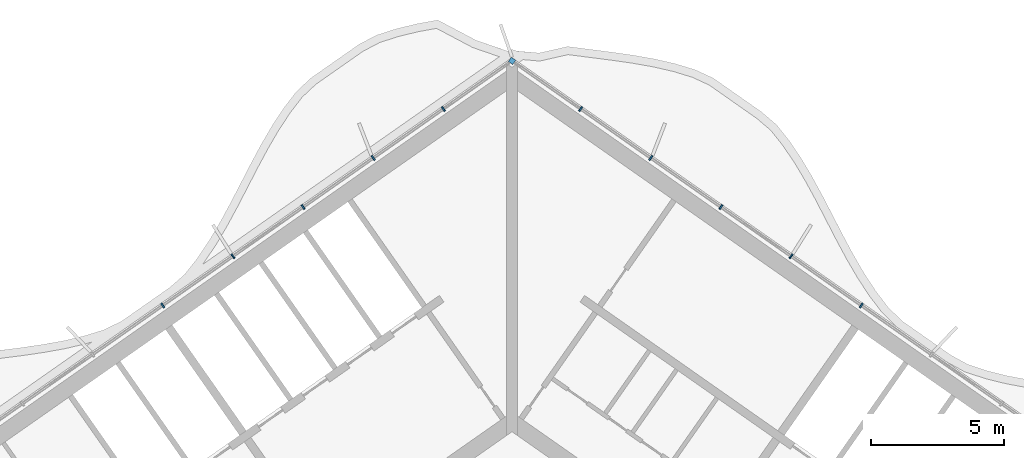
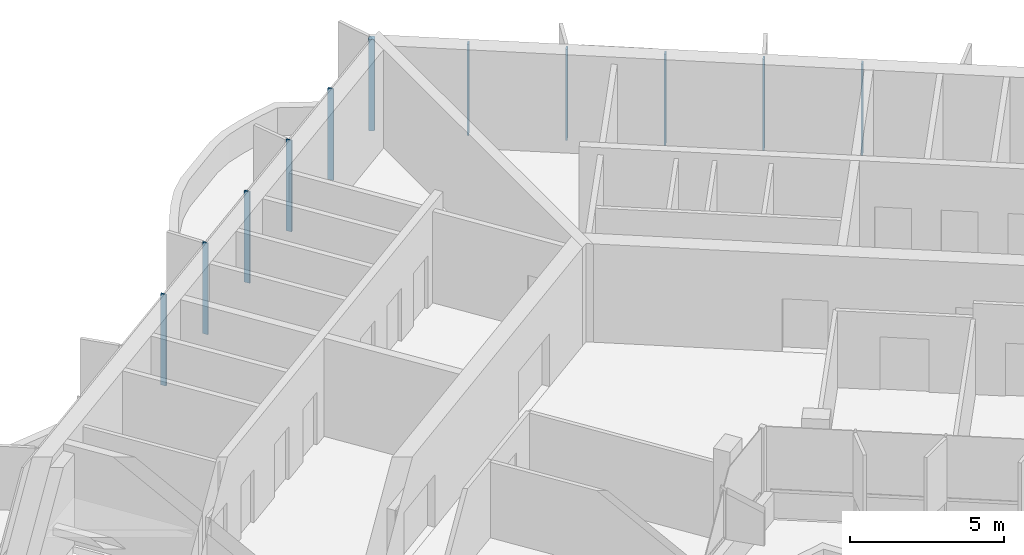
# One storey, part 6 of 17: 11 members, 1 element without a shape of its own.
"""IFC4 building model written with IfcOpenShell, lengths in metres."""

from ifc_helpers import new_model, si_unit, direction, frame, origin, origin_2d, place, context, subcontext, project, spatial, rectangle, extrude, material, material_profile, profile_set, type_object, element, aggregate, save


model = new_model("IFC4")

# Units and contexts
model_context = context("Model", 3, precision=1e-05, world=origin(), true_north=direction((0.0, 1.0)))
body_context = subcontext(model_context, "Body", "Model", "MODEL_VIEW")
ifc_project = project(units=[si_unit("LENGTHUNIT", "METRE"), si_unit("AREAUNIT", "SQUARE_METRE"), si_unit("VOLUMEUNIT", "CUBIC_METRE"), si_unit("PLANEANGLEUNIT", "RADIAN"), si_unit("MASSUNIT", "GRAM", prefix="KILO")], contexts=[model_context])

# Site, building, storey
site_placement = place(None, origin())
site = spatial("IfcSite", under=ifc_project, at=site_placement, CompositionType="ELEMENT")
building_placement = place(site_placement, origin())
building = spatial("IfcBuilding", under=site, at=building_placement, Name="Tel Ilan Convention Tower", CompositionType="ELEMENT")
storey_placement = place(building_placement, frame((0.0, 0.0, 276.10009765625)))
storey = spatial("IfcBuildingStorey", under=building, at=storey_placement, Name="L65", CompositionType="ELEMENT", Elevation=276.10009765625)

# Curtain wall, members
ifc_material_1 = material(Name="Aluminium, bronze anodised", Category="aluminium")
curtain_wall_type = type_object("IfcCurtainWallType", Name="CW2 STICK CURTAIN WALL, SPANDREL PANELS", PredefinedType="NOTDEFINED", material=ifc_material_1)
curtain_wall_placement = place(storey_placement, origin())
curtain_wall = element("IfcCurtainWall", 1, at=curtain_wall_placement, inside=storey, type_object=curtain_wall_type, Name="Curtain wall CW2-50.01", PredefinedType="NOTDEFINED")
ifc_material_2 = material(Name="Aluminium, bronze anodised", Category="aluminium")
ifc_material_profile_1 = material_profile(ifc_material_2, rectangle(XDim=0.199951171875, YDim=0.199951171875, at=origin_2d()), Name="CW CORNER MULLION 200x200")
ifc_profile_set_1 = profile_set([ifc_material_profile_1], Name="Aluminium, bronze anodised")
member_type_1 = type_object("IfcMemberType", Name="CW CORNER MULLION 200x200", PredefinedType="MULLION", material=ifc_profile_set_1)
member_1_placement = place(storey_placement, frame((0.0, 12.696044921875, 0.0), z_axis=(0.0, 0.0, 1.0), x_axis=(-0.819152044289, 0.573576436351, 0.0)))
member_1 = element("IfcMember", 2, at=member_1_placement, type_object=member_type_1, Name="Corner mullion", PredefinedType="MULLION", context=body_context, shape_type="SweptSolid", body=[
    extrude(rectangle(XDim=0.199951171875, YDim=0.199951171875, at=origin_2d()), origin(), (0.0, 0.0, 1.0), 3.619873046875),
])
ifc_material_3 = material(Name="Aluminium, bronze anodised", Category="aluminium")
ifc_material_profile_2 = material_profile(ifc_material_3, rectangle(XDim=0.06005859375, YDim=0.199951171875, at=origin_2d()), Name="CW MULLION 60x200")
ifc_profile_set_2 = profile_set([ifc_material_profile_2], Name="Aluminium, bronze anodised")
member_type_2 = type_object("IfcMemberType", Name="CW MULLION 60x200", PredefinedType="MULLION", material=ifc_profile_set_2)
member_2_placement = place(storey_placement, frame((13.105712890625, 3.519287109375, 0.0), z_axis=(0.0, 0.0, 1.0), x_axis=(-0.819152044289, 0.573576436351, 0.0)))
member_2 = element("IfcMember", 3, at=member_2_placement, type_object=member_type_2, Name="Mullion", PredefinedType="MULLION", context=body_context, shape_type="SweptSolid", body=[
    extrude(rectangle(XDim=0.06005859375, YDim=0.199951171875, at=origin_2d()), origin(), (0.0, 0.0, 1.0), 3.619873046875),
])
member_3_placement = place(storey_placement, frame((10.47314453125, 5.36279296875, 0.0), z_axis=(0.0, 0.0, 1.0), x_axis=(-0.819152044289, 0.573576436351, 0.0)))
member_3 = element("IfcMember", 4, at=member_3_placement, type_object=member_type_2, Name="Mullion", PredefinedType="MULLION", context=body_context, shape_type="SweptSolid", body=[
    extrude(rectangle(XDim=0.06005859375, YDim=0.199951171875, at=origin_2d()), origin(), (0.0, 0.0, 1.0), 3.619873046875),
])
member_4_placement = place(storey_placement, frame((7.840576171875, 7.2060546875, 0.0), z_axis=(0.0, 0.0, 1.0), x_axis=(-0.819152044289, 0.573576436351, 0.0)))
member_4 = element("IfcMember", 5, at=member_4_placement, type_object=member_type_2, Name="Mullion", PredefinedType="MULLION", context=body_context, shape_type="SweptSolid", body=[
    extrude(rectangle(XDim=0.06005859375, YDim=0.199951171875, at=origin_2d()), origin(), (0.0, 0.0, 1.0), 3.619873046875),
])
member_5_placement = place(storey_placement, frame((5.207763671875, 9.049560546875, 0.0), z_axis=(0.0, 0.0, 1.0), x_axis=(-0.819152044289, 0.573576436351, 0.0)))
member_5 = element("IfcMember", 6, at=member_5_placement, type_object=member_type_2, Name="Mullion", PredefinedType="MULLION", context=body_context, shape_type="SweptSolid", body=[
    extrude(rectangle(XDim=0.06005859375, YDim=0.199951171875, at=origin_2d()), origin(), (0.0, 0.0, 1.0), 3.619873046875),
])
member_6_placement = place(storey_placement, frame((2.5751953125, 10.892822265625, 0.0), z_axis=(0.0, 0.0, 1.0), x_axis=(-0.819152044289, 0.573576436351, 0.0)))
member_6 = element("IfcMember", 7, at=member_6_placement, type_object=member_type_2, Name="Mullion", PredefinedType="MULLION", context=body_context, shape_type="SweptSolid", body=[
    extrude(rectangle(XDim=0.06005859375, YDim=0.199951171875, at=origin_2d()), origin(), (0.0, 0.0, 1.0), 3.619873046875),
])
member_7_placement = place(storey_placement, frame((-2.5751953125, 10.892822265625, 0.0), z_axis=(0.0, 0.0, 1.0), x_axis=(-0.819152044289, -0.573576436351, 0.0)))
member_7 = element("IfcMember", 8, at=member_7_placement, type_object=member_type_2, Name="Mullion", PredefinedType="MULLION", context=body_context, shape_type="SweptSolid", body=[
    extrude(rectangle(XDim=0.06005859375, YDim=0.199951171875, at=origin_2d()), origin(), (0.0, 0.0, 1.0), 3.619873046875),
])
member_8_placement = place(storey_placement, frame((-5.207763671875, 9.049560546875, 0.0), z_axis=(0.0, 0.0, 1.0), x_axis=(-0.819152044289, -0.573576436351, 0.0)))
member_8 = element("IfcMember", 9, at=member_8_placement, type_object=member_type_2, Name="Mullion", PredefinedType="MULLION", context=body_context, shape_type="SweptSolid", body=[
    extrude(rectangle(XDim=0.06005859375, YDim=0.199951171875, at=origin_2d()), origin(), (0.0, 0.0, 1.0), 3.619873046875),
])
member_9_placement = place(storey_placement, frame((-7.840576171875, 7.2060546875, 0.0), z_axis=(0.0, 0.0, 1.0), x_axis=(-0.819152044289, -0.573576436351, 0.0)))
member_9 = element("IfcMember", 10, at=member_9_placement, type_object=member_type_2, Name="Mullion", PredefinedType="MULLION", context=body_context, shape_type="SweptSolid", body=[
    extrude(rectangle(XDim=0.06005859375, YDim=0.199951171875, at=origin_2d()), origin(), (0.0, 0.0, 1.0), 3.619873046875),
])
member_10_placement = place(storey_placement, frame((-10.47314453125, 5.36279296875, 0.0), z_axis=(0.0, 0.0, 1.0), x_axis=(-0.819152044289, -0.573576436351, 0.0)))
member_10 = element("IfcMember", 11, at=member_10_placement, type_object=member_type_2, Name="Mullion", PredefinedType="MULLION", context=body_context, shape_type="SweptSolid", body=[
    extrude(rectangle(XDim=0.06005859375, YDim=0.199951171875, at=origin_2d()), origin(), (0.0, 0.0, 1.0), 3.619873046875),
])
member_11_placement = place(storey_placement, frame((-13.105712890625, 3.519287109375, 0.0), z_axis=(0.0, 0.0, 1.0), x_axis=(-0.819152044289, -0.573576436351, 0.0)))
member_11 = element("IfcMember", 12, at=member_11_placement, type_object=member_type_2, Name="Mullion", PredefinedType="MULLION", context=body_context, shape_type="SweptSolid", body=[
    extrude(rectangle(XDim=0.06005859375, YDim=0.199951171875, at=origin_2d()), origin(), (0.0, 0.0, 1.0), 3.619873046875),
])
aggregate(curtain_wall, [member_2, member_3, member_4, member_5, member_6, member_1, member_7, member_8, member_9, member_10, member_11])

save(model, "model.ifc")
